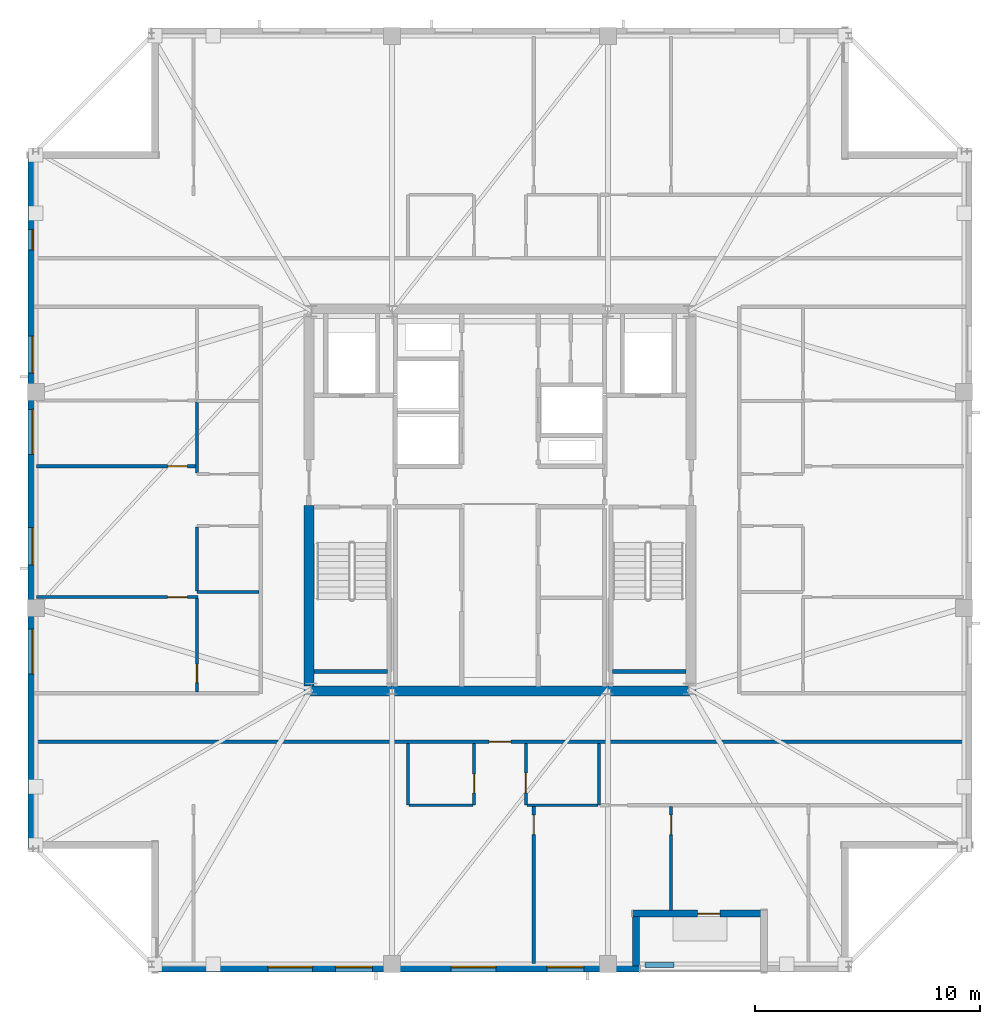
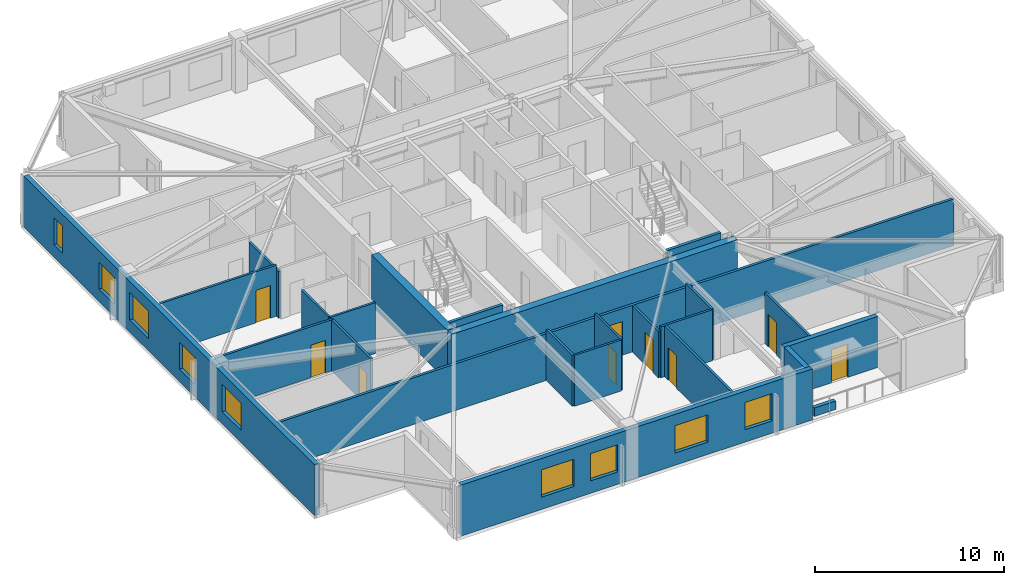
# One storey, part 7 of 15: 24 walls, 9 doors, 9 windows, 18 openings.
"""IFC4 building model written with IfcOpenShell, lengths in metres."""

from ifc_helpers import new_model, si_unit, direction, frame, frame_2d, origin, place, context, subcontext, project, spatial, rectangle, extrude, material, layer, layer_set, type_object, element, fill, save


model = new_model("IFC4")

# Units and contexts
model_context = context("Model", 3, precision=1e-05, world=origin(), true_north=direction((0.0, 1.0)))
body_context = subcontext(model_context, "Body", "Model", "MODEL_VIEW")
ifc_project = project(units=[si_unit("LENGTHUNIT", "METRE"), si_unit("AREAUNIT", "SQUARE_METRE"), si_unit("VOLUMEUNIT", "CUBIC_METRE"), si_unit("PLANEANGLEUNIT", "RADIAN"), si_unit("MASSUNIT", "GRAM", prefix="KILO")], contexts=[model_context])

# Site, building, storey
site_placement = place(None, origin())
site = spatial("IfcSite", under=ifc_project, at=site_placement, CompositionType="ELEMENT")
building_placement = place(site_placement, origin())
building = spatial("IfcBuilding", under=site, at=building_placement, Name="Cairnveth Concourse Tower", CompositionType="ELEMENT")
storey_placement = place(building_placement, frame((0.0, 0.0, 284.0)))
storey = spatial("IfcBuildingStorey", under=building, at=storey_placement, Name="L78", CompositionType="ELEMENT", Elevation=284.0)

# Wall, opening, door
ifc_material_1 = material(Name="Gypsum Plasterboard Partition", Category="gypsum")
ifc_layer_1 = layer(ifc_material_1, 0.159912109375)
ifc_layer_set_1 = layer_set([ifc_layer_1], Name="Gypsum Plasterboard Partition")
wall_type_1 = type_object("IfcWallType", Name="ACOUSTIC PARTY WALL 180", PredefinedType="PARTITIONING", material=ifc_layer_set_1)
wall_1_placement = place(storey_placement, frame((31.284912109375, 28.25, 0.0), z_axis=(0.0, 0.0, 1.0), x_axis=(1.0, 0.0, 0.0)))
wall_1 = element("IfcWall", 1, at=wall_1_placement, inside=storey, type_object=wall_type_1, Name="Interior Wall IW-L78-035", PredefinedType="PARTITIONING", context=body_context, shape_type="SweptSolid", body=[
    extrude(rectangle(XDim=41.43017578125, YDim=0.159912109375, at=frame_2d((20.715087890625, 0.0))), origin(), (0.0, 0.0, 1.0), 3.009033203125),
])
opening_1_placement = place(wall_1_placement, frame((20.235107421875, 0.0, 0.0)))
opening_1 = element("IfcOpeningElement", 2, at=opening_1_placement, cuts=wall_1, Name="Opening ID10", PredefinedType="OPENING", context=body_context, shape_type="SweptSolid", body=[
    extrude(rectangle(XDim=0.9599609375, YDim=2.179931640625, at=frame_2d((0.47998046875, 1.08984375))), frame((0.0, 0.08984375, 0.0), z_axis=(0.0, -1.0, 0.0), x_axis=(1.0, 0.0, 0.0)), (0.0, 0.0, 1.0), 0.179931640625),
])
ifc_material_2 = material(Name="Solid Core Hardwood Timber Leaf", Category="wood")
door_type_1 = type_object("IfcDoorType", Name="FLAT ENTRANCE DOOR 960X2150", OperationType="NOTDEFINED", PredefinedType="DOOR", material=ifc_material_2)
door_1_placement = place(opening_1_placement, origin())
door_1 = element("IfcDoor", 3, at=door_1_placement, inside=storey, type_object=door_type_1, Name="Penthouse L78PS1 Entrance Door", OperationType="SINGLE_SWING_RIGHT", OverallHeight=2.179931640625, OverallWidth=0.9599609375, PredefinedType="DOOR", context=body_context, shape_type="SweptSolid", body=[
    extrude(rectangle(XDim=0.9599609375, YDim=2.179931640625, at=frame_2d((0.47998046875, 1.08984375))), frame((0.0, 0.02490234375, 0.0), z_axis=(0.0, -1.0, 0.0), x_axis=(1.0, 0.0, 0.0)), (0.0, 0.0, 1.0), 0.050048828125),
])
fill(opening_1, door_1)

# Walls
ifc_material_3 = material(Name="Concrete N65 (65 MPa)", Category="concrete")
ifc_layer_2 = layer(ifc_material_3, 0.449951171875)
ifc_layer_set_2 = layer_set([ifc_layer_2], Name="Concrete N65 (65 MPa)")
wall_type_2 = type_object("IfcWallType", Name="CORE SHEAR WALL 450", PredefinedType="SHEAR", material=ifc_layer_set_2)
wall_2_placement = place(storey_placement, frame((43.27490234375, 30.5, 0.0), z_axis=(0.0, 0.0, 1.0), x_axis=(1.0, 0.0, 0.0)))
element("IfcWall", 4, at=wall_2_placement, inside=storey, type_object=wall_type_2, Name="Core South Shear Wall L78", PredefinedType="SHEAR", context=body_context, shape_type="SweptSolid", body=[
    extrude(rectangle(XDim=17.4501953125, YDim=0.449951171875, at=frame_2d((8.72509765625, 0.0))), origin(), (0.0, 0.0, 1.0), 3.2900390625),
])
wall_3_placement = place(storey_placement, frame((43.5, 30.715087890625, 0.0), z_axis=(0.0, 0.0, 1.0), x_axis=(0.0, 1.0, 0.0)))
element("IfcWall", 5, at=wall_3_placement, inside=storey, type_object=wall_type_2, Name="Core West Shear Wall S L78", PredefinedType="SHEAR", context=body_context, shape_type="SweptSolid", body=[
    extrude(rectangle(XDim=8.034912109375, YDim=0.449951171875, at=frame_2d((4.017578125, 0.0))), origin(), (0.0, 0.0, 1.0), 3.2900390625),
])
ifc_material_4 = material(Name="Concrete N50 (50 MPa)", Category="concrete")
ifc_layer_3 = layer(ifc_material_4, 0.179931640625)
ifc_layer_set_3 = layer_set([ifc_layer_3], Name="Concrete N50 (50 MPa)")
wall_type_3 = type_object("IfcWallType", Name="FIRE SHAFT WALL 180", PredefinedType="SOLIDWALL", material=ifc_layer_set_3)
for number, where, z_axis, x_axis, name in (
    (6, (43.715087890625, 31.360107421875, 0.0), (0.0, 0.0, 1.0), (1.0, 0.0, 0.0), "Stair ST-1 Shaft Wall FAR L78"),
    (7, (57.0048828125, 31.360107421875, 0.0), (0.0, 0.0, 1.0), (1.0, 0.0, 0.0), "Stair ST-2 Shaft Wall FAR L78"),
):
    element("IfcWall", number, at=place(storey_placement, frame(where, z_axis=z_axis, x_axis=x_axis)), inside=storey, type_object=wall_type_3, Name=name, PredefinedType="SOLIDWALL", context=body_context, shape_type="SweptSolid", body=[
        extrude(rectangle(XDim=3.280029296875, YDim=0.179931640625, at=frame_2d((1.64013671875, 0.0))), origin(), (0.0, 0.0, 1.0), 3.2900390625),
    ])

# Wall, opening, door
ifc_layer_4 = layer(ifc_material_1, 0.139892578125)
ifc_layer_set_4 = layer_set([ifc_layer_4], Name="Gypsum Plasterboard Partition")
wall_type_4 = type_object("IfcWallType", Name="GYPSUM STUD PARTITION 140", PredefinedType="PARTITIONING", material=ifc_layer_set_4)
wall_4_placement = place(storey_placement, frame((53.5, 18.3798828125, 0.0), z_axis=(0.0, 0.0, 1.0), x_axis=(0.0, 1.0, 0.0)))
wall_4 = element("IfcWall", 8, at=wall_4_placement, inside=storey, type_object=wall_type_4, Name="Interior Wall IW-L78-052", PredefinedType="PARTITIONING", context=body_context, shape_type="SweptSolid", body=[
    extrude(rectangle(XDim=6.990234375, YDim=0.139892578125, at=frame_2d((3.4951171875, 0.0))), origin(), (0.0, 0.0, 1.0), 3.2900390625),
])
opening_2_placement = place(wall_4_placement, frame((5.72998046875, 0.0, 0.0)))
opening_2 = element("IfcOpeningElement", 9, at=opening_2_placement, cuts=wall_4, Name="Opening ID18", PredefinedType="OPENING", context=body_context, shape_type="SweptSolid", body=[
    extrude(rectangle(XDim=0.8798828125, YDim=2.10009765625, at=frame_2d((0.43994140625, 1.050048828125))), frame((0.0, 0.079833984375, 0.0), z_axis=(0.0, -1.0, 0.0), x_axis=(1.0, 0.0, 0.0)), (0.0, 0.0, 1.0), 0.159912109375),
])
door_type_2 = type_object("IfcDoorType", Name="INTERIOR SINGLE DOOR 880X2100", OperationType="NOTDEFINED", PredefinedType="DOOR", material=ifc_material_2)
door_2_placement = place(opening_2_placement, origin())
door_2 = element("IfcDoor", 10, at=door_2_placement, inside=storey, type_object=door_type_2, Name="L78PS1 Media Lounge Door", OperationType="SINGLE_SWING_RIGHT", OverallHeight=2.10009765625, OverallWidth=0.8798828125, PredefinedType="DOOR", context=body_context, shape_type="SweptSolid", body=[
    extrude(rectangle(XDim=0.8798828125, YDim=2.10009765625, at=frame_2d((0.43994140625, 1.050048828125))), frame((0.0, 0.02490234375, 0.0), z_axis=(0.0, -1.0, 0.0), x_axis=(1.0, 0.0, 0.0)), (0.0, 0.0, 1.0), 0.050048828125),
])
fill(opening_2, door_2)

wall_5_placement = place(storey_placement, frame((59.614990234375, 20.735107421875, 0.0), z_axis=(0.0, 0.0, 1.0), x_axis=(0.0, 1.0, 0.0)))
wall_5 = element("IfcWall", 11, at=wall_5_placement, inside=storey, type_object=wall_type_4, Name="Interior Wall IW-L78-053", PredefinedType="PARTITIONING", context=body_context, shape_type="SweptSolid", body=[
    extrude(rectangle(XDim=4.6298828125, YDim=0.139892578125, at=frame_2d((2.31494140625, 0.0))), origin(), (0.0, 0.0, 1.0), 3.2900390625),
])
opening_3_placement = place(wall_5_placement, frame((3.375, 0.0, 0.0)))
opening_3 = element("IfcOpeningElement", 12, at=opening_3_placement, cuts=wall_5, Name="Opening ID18", PredefinedType="OPENING", context=body_context, shape_type="SweptSolid", body=[
    extrude(rectangle(XDim=0.8798828125, YDim=2.10009765625, at=frame_2d((0.43994140625, 1.050048828125))), frame((0.0, 0.079833984375, 0.0), z_axis=(0.0, -1.0, 0.0), x_axis=(1.0, 0.0, 0.0)), (0.0, 0.0, 1.0), 0.159912109375),
])
door_3_placement = place(opening_3_placement, origin())
door_3 = element("IfcDoor", 13, at=door_3_placement, inside=storey, type_object=door_type_2, Name="L78PS1 Library Salon Door", OperationType="SINGLE_SWING_LEFT", OverallHeight=2.10009765625, OverallWidth=0.8798828125, PredefinedType="DOOR", context=body_context, shape_type="SweptSolid", body=[
    extrude(rectangle(XDim=0.8798828125, YDim=2.10009765625, at=frame_2d((0.43994140625, 1.050048828125))), frame((0.0, 0.02490234375, 0.0), z_axis=(0.0, -1.0, 0.0), x_axis=(1.0, 0.0, 0.0)), (0.0, 0.0, 1.0), 0.050048828125),
])
fill(opening_3, door_3)

wall_6_placement = place(storey_placement, frame((31.3798828125, 34.679931640625, 0.0), z_axis=(0.0, 0.0, 1.0), x_axis=(1.0, 0.0, 0.0)))
wall_6 = element("IfcWall", 14, at=wall_6_placement, inside=storey, type_object=wall_type_4, Name="Interior Wall IW-L78-071", PredefinedType="PARTITIONING", context=body_context, shape_type="SweptSolid", body=[
    extrude(rectangle(XDim=7.18017578125, YDim=0.139892578125, at=frame_2d((3.590087890625, 0.0))), origin(), (0.0, 0.0, 1.0), 3.2900390625),
])
opening_4_placement = place(wall_6_placement, frame((5.830078125, 0.0, 0.0)))
opening_4 = element("IfcOpeningElement", 15, at=opening_4_placement, cuts=wall_6, Name="Opening ID18", PredefinedType="OPENING", context=body_context, shape_type="SweptSolid", body=[
    extrude(rectangle(XDim=0.8798828125, YDim=2.10009765625, at=frame_2d((0.43994140625, 1.050048828125))), frame((0.0, 0.079833984375, 0.0), z_axis=(0.0, -1.0, 0.0), x_axis=(1.0, 0.0, 0.0)), (0.0, 0.0, 1.0), 0.159912109375),
])
door_4_placement = place(opening_4_placement, origin())
door_4 = element("IfcDoor", 16, at=door_4_placement, inside=storey, type_object=door_type_2, Name="L78PW1 Master Bedroom Door", OperationType="SINGLE_SWING_RIGHT", OverallHeight=2.10009765625, OverallWidth=0.8798828125, PredefinedType="DOOR", context=body_context, shape_type="SweptSolid", body=[
    extrude(rectangle(XDim=0.8798828125, YDim=2.10009765625, at=frame_2d((0.43994140625, 1.050048828125))), frame((0.0, 0.02490234375, 0.0), z_axis=(0.0, -1.0, 0.0), x_axis=(1.0, 0.0, 0.0)), (0.0, 0.0, 1.0), 0.050048828125),
])
fill(opening_4, door_4)

wall_7_placement = place(storey_placement, frame((38.52001953125, 30.465087890625, 0.0), z_axis=(0.0, 0.0, 1.0), x_axis=(0.0, 1.0, 0.0)))
wall_7 = element("IfcWall", 17, at=wall_7_placement, inside=storey, type_object=wall_type_4, Name="Interior Wall IW-L78-072", PredefinedType="PARTITIONING", context=body_context, shape_type="SweptSolid", body=[
    extrude(rectangle(XDim=4.159912109375, YDim=0.139892578125, at=frame_2d((2.080078125, 0.0))), origin(), (0.0, 0.0, 1.0), 3.2900390625),
])
opening_5_placement = place(wall_7_placement, frame((0.4150390625, 0.0, 0.0)))
opening_5 = element("IfcOpeningElement", 18, at=opening_5_placement, cuts=wall_7, Name="Opening ID22", PredefinedType="OPENING", context=body_context, shape_type="SweptSolid", body=[
    extrude(rectangle(XDim=0.820068359375, YDim=2.10009765625, at=frame_2d((0.41015625, 1.050048828125))), frame((0.0, 0.079833984375, 0.0), z_axis=(0.0, -1.0, 0.0), x_axis=(1.0, 0.0, 0.0)), (0.0, 0.0, 1.0), 0.159912109375),
])
door_type_3 = type_object("IfcDoorType", Name="INTERIOR WC DOOR 820X2100", OperationType="NOTDEFINED", PredefinedType="DOOR", material=ifc_material_2)
door_5_placement = place(opening_5_placement, origin())
door_5 = element("IfcDoor", 19, at=door_5_placement, inside=storey, type_object=door_type_3, Name="L78PW1 Dressing Door", OperationType="SINGLE_SWING_LEFT", OverallHeight=2.10009765625, OverallWidth=0.820068359375, PredefinedType="DOOR", context=body_context, shape_type="SweptSolid", body=[
    extrude(rectangle(XDim=0.820068359375, YDim=2.10009765625, at=frame_2d((0.41015625, 1.050048828125))), frame((0.0, 0.02490234375, 0.0), z_axis=(0.0, -1.0, 0.0), x_axis=(1.0, 0.0, 0.0)), (0.0, 0.0, 1.0), 0.050048828125),
])
fill(opening_5, door_5)

wall_8_placement = place(storey_placement, frame((31.3798828125, 40.5, 0.0), z_axis=(0.0, 0.0, 1.0), x_axis=(1.0, 0.0, 0.0)))
wall_8 = element("IfcWall", 20, at=wall_8_placement, inside=storey, type_object=wall_type_4, Name="Interior Wall IW-L78-075", PredefinedType="PARTITIONING", context=body_context, shape_type="SweptSolid", body=[
    extrude(rectangle(XDim=7.090087890625, YDim=0.139892578125, at=frame_2d((3.544921875, 0.0))), origin(), (0.0, 0.0, 1.0), 3.2900390625),
])
opening_6_placement = place(wall_8_placement, frame((5.830078125, 0.0, 0.0)))
opening_6 = element("IfcOpeningElement", 21, at=opening_6_placement, cuts=wall_8, Name="Opening ID18", PredefinedType="OPENING", context=body_context, shape_type="SweptSolid", body=[
    extrude(rectangle(XDim=0.8798828125, YDim=2.10009765625, at=frame_2d((0.43994140625, 1.050048828125))), frame((0.0, 0.079833984375, 0.0), z_axis=(0.0, -1.0, 0.0), x_axis=(1.0, 0.0, 0.0)), (0.0, 0.0, 1.0), 0.159912109375),
])
door_6_placement = place(opening_6_placement, origin())
door_6 = element("IfcDoor", 22, at=door_6_placement, inside=storey, type_object=door_type_2, Name="L78PW1 Media Lounge Door", OperationType="SINGLE_SWING_LEFT", OverallHeight=2.10009765625, OverallWidth=0.8798828125, PredefinedType="DOOR", context=body_context, shape_type="SweptSolid", body=[
    extrude(rectangle(XDim=0.8798828125, YDim=2.10009765625, at=frame_2d((0.43994140625, 1.050048828125))), frame((0.0, 0.02490234375, 0.0), z_axis=(0.0, -1.0, 0.0), x_axis=(1.0, 0.0, 0.0)), (0.0, 0.0, 1.0), 0.050048828125),
])
fill(opening_6, door_6)

# Walls
ifc_material_5 = material(Name="Dressed Melbourne Bluestone Cladding", Category="masonry")
ifc_layer_5 = layer(ifc_material_5, 0.219970703125)
ifc_layer_set_5 = layer_set([ifc_layer_5], Name="Dressed Melbourne Bluestone Cladding")
wall_type_5 = type_object("IfcWallType", Name="TERRACE PLANTER CURB WALL 220", PredefinedType="PARAPET", material=ifc_layer_set_5)
wall_9_placement = place(storey_placement, frame((58.449951171875, 18.320068359375, 0.0), z_axis=(0.0, 0.0, 1.0), x_axis=(1.0, 0.0, 0.0)))
element("IfcWall", 23, at=wall_9_placement, inside=storey, type_object=wall_type_5, Name="Exterior Wall PLNT-L78-TERR", PredefinedType="PARAPET", context=body_context, shape_type="SweptSolid", body=[
    extrude(rectangle(XDim=1.300048828125, YDim=0.219970703125, at=frame_2d((0.64990234375, 0.0))), origin(), (0.0, 0.0, 1.0), 0.550048828125),
])
ifc_layer_6 = layer(ifc_material_1, 0.1298828125)
ifc_layer_set_6 = layer_set([ifc_layer_6], Name="Gypsum Plasterboard Partition")
wall_type_6 = type_object("IfcWallType", Name="WET AREA PARTITION 140", PredefinedType="PLUMBINGWALL", material=ifc_layer_set_6)
wall_10_placement = place(storey_placement, frame((47.89990234375, 25.419921875, 0.0), z_axis=(0.0, 0.0, 1.0), x_axis=(0.0, 1.0, 0.0)))
element("IfcWall", 24, at=wall_10_placement, inside=storey, type_object=wall_type_6, Name="Interior Wall IW-L78-043", PredefinedType="PLUMBINGWALL", context=body_context, shape_type="SweptSolid", body=[
    extrude(rectangle(XDim=2.75, YDim=0.1298828125, at=frame_2d((1.375, 0.0))), origin(), (0.0, 0.0, 1.0), 3.2900390625),
])

# Wall, opening, door
wall_11_placement = place(storey_placement, frame((50.85009765625, 25.419921875, 0.0), z_axis=(0.0, 0.0, 1.0), x_axis=(0.0, 1.0, 0.0)))
wall_11 = element("IfcWall", 25, at=wall_11_placement, inside=storey, type_object=wall_type_6, Name="Interior Wall IW-L78-044", PredefinedType="PLUMBINGWALL", context=body_context, shape_type="SweptSolid", body=[
    extrude(rectangle(XDim=2.75, YDim=0.1298828125, at=frame_2d((1.375, 0.0))), origin(), (0.0, 0.0, 1.0), 3.2900390625),
])
opening_7_placement = place(wall_11_placement, frame((0.550048828125, 0.0, 0.0)))
opening_7 = element("IfcOpeningElement", 26, at=opening_7_placement, cuts=wall_11, Name="Opening ID21", PredefinedType="OPENING", context=body_context, shape_type="SweptSolid", body=[
    extrude(rectangle(XDim=0.85009765625, YDim=2.080078125, at=frame_2d((0.425048828125, 1.0400390625))), frame((0.0, 0.074951171875, 0.0), z_axis=(0.0, -1.0, 0.0), x_axis=(1.0, 0.0, 0.0)), (0.0, 0.0, 1.0), 0.14990234375),
])
door_type_4 = type_object("IfcDoorType", Name="INTERIOR WC DOOR 850X2100", OperationType="NOTDEFINED", PredefinedType="DOOR", material=ifc_material_2)
door_7_placement = place(opening_7_placement, origin())
door_7 = element("IfcDoor", 27, at=door_7_placement, inside=storey, type_object=door_type_4, Name="L78PS1 Bathroom Door", OperationType="SINGLE_SWING_LEFT", OverallHeight=2.080078125, OverallWidth=0.85009765625, PredefinedType="DOOR", context=body_context, shape_type="SweptSolid", body=[
    extrude(rectangle(XDim=0.85009765625, YDim=2.080078125, at=frame_2d((0.425048828125, 1.0400390625))), frame((0.0, 0.02490234375, 0.0), z_axis=(0.0, -1.0, 0.0), x_axis=(1.0, 0.0, 0.0)), (0.0, 0.0, 1.0), 0.050048828125),
])
fill(opening_7, door_7)

# Walls
wall_12_placement = place(storey_placement, frame((47.949951171875, 25.419921875, 0.0), z_axis=(0.0, 0.0, 1.0), x_axis=(1.0, 0.0, 0.0)))
element("IfcWall", 28, at=wall_12_placement, inside=storey, type_object=wall_type_6, Name="Interior Wall IW-L78-045", PredefinedType="PLUMBINGWALL", context=body_context, shape_type="SweptSolid", body=[
    extrude(rectangle(XDim=2.85009765625, YDim=0.1298828125, at=frame_2d((1.425048828125, 0.0))), origin(), (0.0, 0.0, 1.0), 3.2900390625),
])
wall_13_placement = place(storey_placement, frame((56.39990234375, 25.419921875, 0.0), z_axis=(0.0, 0.0, 1.0), x_axis=(0.0, 1.0, 0.0)))
element("IfcWall", 29, at=wall_13_placement, inside=storey, type_object=wall_type_6, Name="Interior Wall IW-L78-046", PredefinedType="PLUMBINGWALL", context=body_context, shape_type="SweptSolid", body=[
    extrude(rectangle(XDim=2.75, YDim=0.1298828125, at=frame_2d((1.375, 0.0))), origin(), (0.0, 0.0, 1.0), 3.2900390625),
])

# Wall, opening, door
wall_14_placement = place(storey_placement, frame((53.14990234375, 25.419921875, 0.0), z_axis=(0.0, 0.0, 1.0), x_axis=(0.0, 1.0, 0.0)))
wall_14 = element("IfcWall", 30, at=wall_14_placement, inside=storey, type_object=wall_type_6, Name="Interior Wall IW-L78-047", PredefinedType="PLUMBINGWALL", context=body_context, shape_type="SweptSolid", body=[
    extrude(rectangle(XDim=2.75, YDim=0.1298828125, at=frame_2d((1.375, 0.0))), origin(), (0.0, 0.0, 1.0), 3.009033203125),
])
opening_8_placement = place(wall_14_placement, frame((0.550048828125, 0.0, 0.0)))
opening_8 = element("IfcOpeningElement", 31, at=opening_8_placement, cuts=wall_14, Name="Opening ID18", PredefinedType="OPENING", context=body_context, shape_type="SweptSolid", body=[
    extrude(rectangle(XDim=0.8798828125, YDim=2.10009765625, at=frame_2d((0.43994140625, 1.050048828125))), frame((0.0, 0.074951171875, 0.0), z_axis=(0.0, -1.0, 0.0), x_axis=(1.0, 0.0, 0.0)), (0.0, 0.0, 1.0), 0.14990234375),
])
door_8_placement = place(opening_8_placement, origin())
door_8 = element("IfcDoor", 32, at=door_8_placement, inside=storey, type_object=door_type_2, Name="L78PS1 Kitchen Door", OperationType="SINGLE_SWING_RIGHT", OverallHeight=2.10009765625, OverallWidth=0.8798828125, PredefinedType="DOOR", context=body_context, shape_type="SweptSolid", body=[
    extrude(rectangle(XDim=0.8798828125, YDim=2.10009765625, at=frame_2d((0.43994140625, 1.050048828125))), frame((0.0, 0.02490234375, 0.0), z_axis=(0.0, -1.0, 0.0), x_axis=(1.0, 0.0, 0.0)), (0.0, 0.0, 1.0), 0.050048828125),
])
fill(opening_8, door_8)

# Walls
wall_15_placement = place(storey_placement, frame((53.199951171875, 25.419921875, 0.0), z_axis=(0.0, 0.0, 1.0), x_axis=(1.0, 0.0, 0.0)))
element("IfcWall", 33, at=wall_15_placement, inside=storey, type_object=wall_type_6, Name="Interior Wall IW-L78-048", PredefinedType="PLUMBINGWALL", context=body_context, shape_type="SweptSolid", body=[
    extrude(rectangle(XDim=3.150146484375, YDim=0.1298828125, at=frame_2d((1.5751953125, 0.0))), origin(), (0.0, 0.0, 1.0), 3.2900390625),
])
wall_16_placement = place(storey_placement, frame((38.52001953125, 34.89990234375, 0.0), z_axis=(0.0, 0.0, 1.0), x_axis=(1.0, 0.0, 0.0)))
element("IfcWall", 34, at=wall_16_placement, inside=storey, type_object=wall_type_6, Name="Interior Wall IW-L78-065", PredefinedType="PLUMBINGWALL", context=body_context, shape_type="SweptSolid", body=[
    extrude(rectangle(XDim=2.75, YDim=0.1298828125, at=frame_2d((1.375, 0.0))), origin(), (0.0, 0.0, 1.0), 3.2900390625),
])
wall_17_placement = place(storey_placement, frame((38.52001953125, 34.949951171875, 0.0), z_axis=(0.0, 0.0, 1.0), x_axis=(0.0, 1.0, 0.0)))
element("IfcWall", 35, at=wall_17_placement, inside=storey, type_object=wall_type_6, Name="Interior Wall IW-L78-067", PredefinedType="PLUMBINGWALL", context=body_context, shape_type="SweptSolid", body=[
    extrude(rectangle(XDim=2.85009765625, YDim=0.1298828125, at=frame_2d((1.425048828125, 0.0))), origin(), (0.0, 0.0, 1.0), 3.2900390625),
])
wall_18_placement = place(storey_placement, frame((38.52001953125, 40.199951171875, 0.0), z_axis=(0.0, 0.0, 1.0), x_axis=(0.0, 1.0, 0.0)))
element("IfcWall", 36, at=wall_18_placement, inside=storey, type_object=wall_type_6, Name="Interior Wall IW-L78-070", PredefinedType="PLUMBINGWALL", context=body_context, shape_type="SweptSolid", body=[
    extrude(rectangle(XDim=3.150146484375, YDim=0.1298828125, at=frame_2d((1.5751953125, 0.0))), origin(), (0.0, 0.0, 1.0), 3.009033203125),
])

# Wall, openings, windows
ifc_material_6 = material(Name="Hawthorn Red-Ochre Fired Clay Brick Masonry", Category="masonry")
ifc_layer_7 = layer(ifc_material_6, 0.300048828125)
ifc_layer_set_7 = layer_set([ifc_layer_7], Name="Hawthorn Red-Ochre Fired Clay Brick Masonry")
wall_type_7 = type_object("IfcWallType", Name="ZONE 4 BRICK PIER SPANDREL WALL 300", PredefinedType="SOLIDWALL", material=ifc_layer_set_7)
wall_19_placement = place(storey_placement, frame((58.199951171875, 18.14990234375, 0.0), z_axis=(0.0, 0.0, 1.0), x_axis=(-1.0, 0.0, 0.0)))
wall_19 = element("IfcWall", 37, at=wall_19_placement, inside=storey, type_object=wall_type_7, Name="Exterior Wall EW-L78-S00", PredefinedType="SOLIDWALL", context=body_context, shape_type="SweptSolid", body=[
    extrude(rectangle(XDim=21.421875, YDim=0.300048828125, at=frame_2d((10.7109375, 0.0))), origin(), (0.0, 0.0, 1.0), 3.2900390625),
])
opening_9_placement = place(wall_19_placement, frame((2.465087890625, 0.0, 0.800048828125)))
opening_9 = element("IfcOpeningElement", 38, at=opening_9_placement, cuts=wall_19, Name="Opening W04", PredefinedType="OPENING", context=body_context, shape_type="SweptSolid", body=[
    extrude(rectangle(XDim=1.64990234375, YDim=1.758056640625, at=frame_2d((0.824951171875, 0.87890625))), frame((0.0, 0.159912109375, 0.0), z_axis=(0.0, -1.0, 0.0), x_axis=(1.0, 0.0, 0.0)), (0.0, 0.0, 1.0), 0.320068359375),
])
opening_10_placement = place(wall_19_placement, frame((6.37060546875, 0.0, 0.800048828125)))
opening_10 = element("IfcOpeningElement", 39, at=opening_10_placement, cuts=wall_19, Name="Opening W09", PredefinedType="OPENING", context=body_context, shape_type="SweptSolid", body=[
    extrude(rectangle(XDim=2.0, YDim=1.758056640625, at=frame_2d((1.0, 0.87890625))), frame((0.0, 0.159912109375, 0.0), z_axis=(0.0, -1.0, 0.0), x_axis=(1.0, 0.0, 0.0)), (0.0, 0.0, 1.0), 0.320068359375),
])
opening_11_placement = place(wall_19_placement, frame((11.876220703125, 0.0, 0.800048828125)))
opening_11 = element("IfcOpeningElement", 40, at=opening_11_placement, cuts=wall_19, Name="Opening W04", PredefinedType="OPENING", context=body_context, shape_type="SweptSolid", body=[
    extrude(rectangle(XDim=1.64990234375, YDim=1.758056640625, at=frame_2d((0.824951171875, 0.87890625))), frame((0.0, 0.159912109375, 0.0), z_axis=(0.0, -1.0, 0.0), x_axis=(1.0, 0.0, 0.0)), (0.0, 0.0, 1.0), 0.320068359375),
])
opening_12_placement = place(wall_19_placement, frame((14.53173828125, 0.0, 0.800048828125)))
opening_12 = element("IfcOpeningElement", 41, at=opening_12_placement, cuts=wall_19, Name="Opening W09", PredefinedType="OPENING", context=body_context, shape_type="SweptSolid", body=[
    extrude(rectangle(XDim=2.0, YDim=1.758056640625, at=frame_2d((1.0, 0.87890625))), frame((0.0, 0.159912109375, 0.0), z_axis=(0.0, -1.0, 0.0), x_axis=(1.0, 0.0, 0.0)), (0.0, 0.0, 1.0), 0.320068359375),
])
ifc_material_7 = material(Name="Double Glazed Low-E Clear Glass", Category="glass")
window_type_1 = type_object("IfcWindowType", Name="DEEP-SET GOTHIC LANCET WINDOW 1650X1850", PartitioningType="DOUBLE_PANEL_VERTICAL", PredefinedType="WINDOW", material=ifc_material_7)
window_1_placement = place(opening_9_placement, origin())
window_1 = element("IfcWindow", 42, at=window_1_placement, inside=storey, type_object=window_type_1, Name="Gothic Lancet Window L78-0-1", OverallHeight=1.758056640625, OverallWidth=1.64990234375, PartitioningType="SINGLE_PANEL", PredefinedType="WINDOW", context=body_context, shape_type="SweptSolid", body=[
    extrude(rectangle(XDim=1.64990234375, YDim=1.758056640625, at=frame_2d((0.824951171875, 0.87890625))), frame((0.0, -0.050048828125, 0.0), z_axis=(0.0, -1.0, 0.0), x_axis=(1.0, 0.0, 0.0)), (0.0, 0.0, 1.0), 0.06005859375),
])
fill(opening_9, window_1)
window_2_placement = place(opening_11_placement, origin())
window_2 = element("IfcWindow", 43, at=window_2_placement, inside=storey, type_object=window_type_1, Name="Gothic Lancet Window L78-0-3", OverallHeight=1.758056640625, OverallWidth=1.64990234375, PartitioningType="SINGLE_PANEL", PredefinedType="WINDOW", context=body_context, shape_type="SweptSolid", body=[
    extrude(rectangle(XDim=1.64990234375, YDim=1.758056640625, at=frame_2d((0.824951171875, 0.87890625))), frame((0.0, -0.050048828125, 0.0), z_axis=(0.0, -1.0, 0.0), x_axis=(1.0, 0.0, 0.0)), (0.0, 0.0, 1.0), 0.06005859375),
])
fill(opening_11, window_2)
window_type_2 = type_object("IfcWindowType", Name="DEEP-SET PENTHOUSE LANCET WINDOW 2000X1850", PartitioningType="DOUBLE_PANEL_VERTICAL", PredefinedType="WINDOW", material=ifc_material_7)
window_3_placement = place(opening_10_placement, origin())
window_3 = element("IfcWindow", 44, at=window_3_placement, inside=storey, type_object=window_type_2, Name="Gothic Lancet Window L78-0-2", OverallHeight=1.758056640625, OverallWidth=2.0, PartitioningType="SINGLE_PANEL", PredefinedType="WINDOW", context=body_context, shape_type="SweptSolid", body=[
    extrude(rectangle(XDim=2.0, YDim=1.758056640625, at=frame_2d((1.0, 0.87890625))), frame((0.0, -0.050048828125, 0.0), z_axis=(0.0, -1.0, 0.0), x_axis=(1.0, 0.0, 0.0)), (0.0, 0.0, 1.0), 0.06005859375),
])
fill(opening_10, window_3)
window_4_placement = place(opening_12_placement, origin())
window_4 = element("IfcWindow", 45, at=window_4_placement, inside=storey, type_object=window_type_2, Name="Gothic Lancet Window L78-0-4", OverallHeight=1.758056640625, OverallWidth=2.0, PartitioningType="SINGLE_PANEL", PredefinedType="WINDOW", context=body_context, shape_type="SweptSolid", body=[
    extrude(rectangle(XDim=2.0, YDim=1.758056640625, at=frame_2d((1.0, 0.87890625))), frame((0.0, -0.050048828125, 0.0), z_axis=(0.0, -1.0, 0.0), x_axis=(1.0, 0.0, 0.0)), (0.0, 0.0, 1.0), 0.06005859375),
])
fill(opening_12, window_4)

wall_20_placement = place(storey_placement, frame((31.14990234375, 23.5, 0.0), z_axis=(0.0, 0.0, 1.0), x_axis=(0.0, 1.0, 0.0)))
wall_20 = element("IfcWall", 46, at=wall_20_placement, inside=storey, type_object=wall_type_7, Name="Exterior Wall EW-L78-S03", PredefinedType="SOLIDWALL", context=body_context, shape_type="SweptSolid", body=[
    extrude(rectangle(XDim=30.721923828125, YDim=0.300048828125, at=frame_2d((15.36083984375, 0.0))), origin(), (0.0, 0.0, 1.0), 3.2900390625),
])
opening_13_placement = place(wall_20_placement, frame((7.755615234375, 0.0, 0.800048828125)))
opening_13 = element("IfcOpeningElement", 47, at=opening_13_placement, cuts=wall_20, Name="Opening W09", PredefinedType="OPENING", context=body_context, shape_type="SweptSolid", body=[
    extrude(rectangle(XDim=2.0, YDim=1.758056640625, at=frame_2d((1.0, 0.87890625))), frame((0.0, 0.159912109375, 0.0), z_axis=(0.0, -1.0, 0.0), x_axis=(1.0, 0.0, 0.0)), (0.0, 0.0, 1.0), 0.320068359375),
])
opening_14_placement = place(wall_20_placement, frame((12.617431640625, 0.0, 0.800048828125)))
opening_14 = element("IfcOpeningElement", 48, at=opening_14_placement, cuts=wall_20, Name="Opening W04", PredefinedType="OPENING", context=body_context, shape_type="SweptSolid", body=[
    extrude(rectangle(XDim=1.64990234375, YDim=1.758056640625, at=frame_2d((0.824951171875, 0.87890625))), frame((0.0, 0.159912109375, 0.0), z_axis=(0.0, -1.0, 0.0), x_axis=(1.0, 0.0, 0.0)), (0.0, 0.0, 1.0), 0.320068359375),
])
opening_15_placement = place(wall_20_placement, frame((17.529541015625, 0.0, 0.800048828125)))
opening_15 = element("IfcOpeningElement", 49, at=opening_15_placement, cuts=wall_20, Name="Opening W09", PredefinedType="OPENING", context=body_context, shape_type="SweptSolid", body=[
    extrude(rectangle(XDim=2.0, YDim=1.758056640625, at=frame_2d((1.0, 0.87890625))), frame((0.0, 0.159912109375, 0.0), z_axis=(0.0, -1.0, 0.0), x_axis=(1.0, 0.0, 0.0)), (0.0, 0.0, 1.0), 0.320068359375),
])
opening_16_placement = place(wall_20_placement, frame((21.1416015625, 0.0, 0.800048828125)))
opening_16 = element("IfcOpeningElement", 50, at=opening_16_placement, cuts=wall_20, Name="Opening W04", PredefinedType="OPENING", context=body_context, shape_type="SweptSolid", body=[
    extrude(rectangle(XDim=1.64990234375, YDim=1.758056640625, at=frame_2d((0.824951171875, 0.87890625))), frame((0.0, 0.159912109375, 0.0), z_axis=(0.0, -1.0, 0.0), x_axis=(1.0, 0.0, 0.0)), (0.0, 0.0, 1.0), 0.320068359375),
])
opening_17_placement = place(wall_20_placement, frame((26.6298828125, 0.0, 0.800048828125)))
opening_17 = element("IfcOpeningElement", 51, at=opening_17_placement, cuts=wall_20, Name="Opening W13", PredefinedType="OPENING", context=body_context, shape_type="SweptSolid", body=[
    extrude(rectangle(XDim=0.89990234375, YDim=1.75, at=frame_2d((0.449951171875, 0.875))), frame((0.0, 0.159912109375, 0.0), z_axis=(0.0, -1.0, 0.0), x_axis=(1.0, 0.0, 0.0)), (0.0, 0.0, 1.0), 0.320068359375),
])
window_type_3 = type_object("IfcWindowType", Name="DEEP-SET BEDROOM LANCET WINDOW 900X1750", PartitioningType="DOUBLE_PANEL_VERTICAL", PredefinedType="WINDOW", material=ifc_material_7)
window_5_placement = place(opening_17_placement, origin())
window_5 = element("IfcWindow", 52, at=window_5_placement, inside=storey, type_object=window_type_3, Name="Dwelling Lancet Window L78-DW3", OverallHeight=1.75, OverallWidth=0.89990234375, PartitioningType="SINGLE_PANEL", PredefinedType="WINDOW", context=body_context, shape_type="SweptSolid", body=[
    extrude(rectangle(XDim=0.89990234375, YDim=1.75, at=frame_2d((0.449951171875, 0.875))), frame((0.0, -0.0400390625, 0.0), z_axis=(0.0, -1.0, 0.0), x_axis=(1.0, 0.0, 0.0)), (0.0, 0.0, 1.0), 0.06005859375),
])
fill(opening_17, window_5)
window_6_placement = place(opening_14_placement, origin())
window_6 = element("IfcWindow", 53, at=window_6_placement, inside=storey, type_object=window_type_1, Name="Gothic Lancet Window L78-3-3", OverallHeight=1.758056640625, OverallWidth=1.64990234375, PartitioningType="SINGLE_PANEL", PredefinedType="WINDOW", context=body_context, shape_type="SweptSolid", body=[
    extrude(rectangle(XDim=1.64990234375, YDim=1.758056640625, at=frame_2d((0.824951171875, 0.87890625))), frame((0.0, -0.050048828125, 0.0), z_axis=(0.0, -1.0, 0.0), x_axis=(1.0, 0.0, 0.0)), (0.0, 0.0, 1.0), 0.06005859375),
])
fill(opening_14, window_6)
window_7_placement = place(opening_16_placement, origin())
window_7 = element("IfcWindow", 54, at=window_7_placement, inside=storey, type_object=window_type_1, Name="Gothic Lancet Window L78-3-5", OverallHeight=1.758056640625, OverallWidth=1.64990234375, PartitioningType="SINGLE_PANEL", PredefinedType="WINDOW", context=body_context, shape_type="SweptSolid", body=[
    extrude(rectangle(XDim=1.64990234375, YDim=1.758056640625, at=frame_2d((0.824951171875, 0.87890625))), frame((0.0, -0.050048828125, 0.0), z_axis=(0.0, -1.0, 0.0), x_axis=(1.0, 0.0, 0.0)), (0.0, 0.0, 1.0), 0.06005859375),
])
fill(opening_16, window_7)
window_8_placement = place(opening_13_placement, origin())
window_8 = element("IfcWindow", 55, at=window_8_placement, inside=storey, type_object=window_type_2, Name="Gothic Lancet Window L78-3-2", OverallHeight=1.758056640625, OverallWidth=2.0, PartitioningType="SINGLE_PANEL", PredefinedType="WINDOW", context=body_context, shape_type="SweptSolid", body=[
    extrude(rectangle(XDim=2.0, YDim=1.758056640625, at=frame_2d((1.0, 0.87890625))), frame((0.0, -0.050048828125, 0.0), z_axis=(0.0, -1.0, 0.0), x_axis=(1.0, 0.0, 0.0)), (0.0, 0.0, 1.0), 0.06005859375),
])
fill(opening_13, window_8)
window_9_placement = place(opening_15_placement, origin())
window_9 = element("IfcWindow", 56, at=window_9_placement, inside=storey, type_object=window_type_2, Name="Gothic Lancet Window L78-3-4", OverallHeight=1.758056640625, OverallWidth=2.0, PartitioningType="SINGLE_PANEL", PredefinedType="WINDOW", context=body_context, shape_type="SweptSolid", body=[
    extrude(rectangle(XDim=2.0, YDim=1.758056640625, at=frame_2d((1.0, 0.87890625))), frame((0.0, -0.050048828125, 0.0), z_axis=(0.0, -1.0, 0.0), x_axis=(1.0, 0.0, 0.0)), (0.0, 0.0, 1.0), 0.06005859375),
])
fill(opening_15, window_9)

# Wall, opening, door
wall_21_placement = place(storey_placement, frame((63.6220703125, 20.60009765625, 0.0), z_axis=(0.0, 0.0, 1.0), x_axis=(-1.0, 0.0, 0.0)))
wall_21 = element("IfcWall", 57, at=wall_21_placement, inside=storey, type_object=wall_type_7, Name="Exterior Wall EW-L78-S14", PredefinedType="SOLIDWALL", context=body_context, shape_type="SweptSolid", body=[
    extrude(rectangle(XDim=5.72216796875, YDim=0.300048828125, at=frame_2d((2.861083984375, 0.0))), origin(), (0.0, 0.0, 1.0), 3.2900390625),
])
opening_18_placement = place(wall_21_placement, frame((1.82861328125, 0.0, 0.0)))
opening_18 = element("IfcOpeningElement", 58, at=opening_18_placement, cuts=wall_21, Name="Opening ED4", PredefinedType="OPENING", context=body_context, shape_type="SweptSolid", body=[
    extrude(rectangle(XDim=1.0, YDim=2.14990234375, at=frame_2d((0.5, 1.074951171875))), frame((0.0, 0.159912109375, 0.0), z_axis=(0.0, -1.0, 0.0), x_axis=(1.0, 0.0, 0.0)), (0.0, 0.0, 1.0), 0.320068359375),
])
ifc_material_8 = material(Name="Architectural Bronze Anodised Aluminium 6063-T6", Category="aluminium")
door_type_5 = type_object("IfcDoorType", Name="TERRACE GLAZED DOOR 1000X2150", OperationType="NOTDEFINED", PredefinedType="DOOR", material=ifc_material_8)
door_9_placement = place(opening_18_placement, origin())
door_9 = element("IfcDoor", 59, at=door_9_placement, inside=storey, type_object=door_type_5, Name="Spiral Terrace Door L78", OperationType="SINGLE_SWING_LEFT", OverallHeight=2.14990234375, OverallWidth=1.0, PredefinedType="DOOR", context=body_context, shape_type="SweptSolid", body=[
    extrude(rectangle(XDim=1.0, YDim=2.14990234375, at=frame_2d((0.5, 1.074951171875))), frame((0.0, 0.02490234375, 0.0), z_axis=(0.0, -1.0, 0.0), x_axis=(1.0, 0.0, 0.0)), (0.0, 0.0, 1.0), 0.050048828125),
])
fill(opening_18, door_9)

# Wall
wall_22_placement = place(storey_placement, frame((58.050048828125, 20.471923828125, 0.0), z_axis=(0.0, 0.0, 1.0), x_axis=(0.0, -1.0, 0.0)))
element("IfcWall", 60, at=wall_22_placement, inside=storey, type_object=wall_type_7, Name="Exterior Wall EW-L78-S15", PredefinedType="SOLIDWALL", context=body_context, shape_type="SweptSolid", body=[
    extrude(rectangle(XDim=2.19384765625, YDim=0.300048828125, at=frame_2d((1.096923828125, 0.0))), origin(), (0.0, 0.0, 1.0), 3.2900390625),
])

save(model, "model.ifc")
